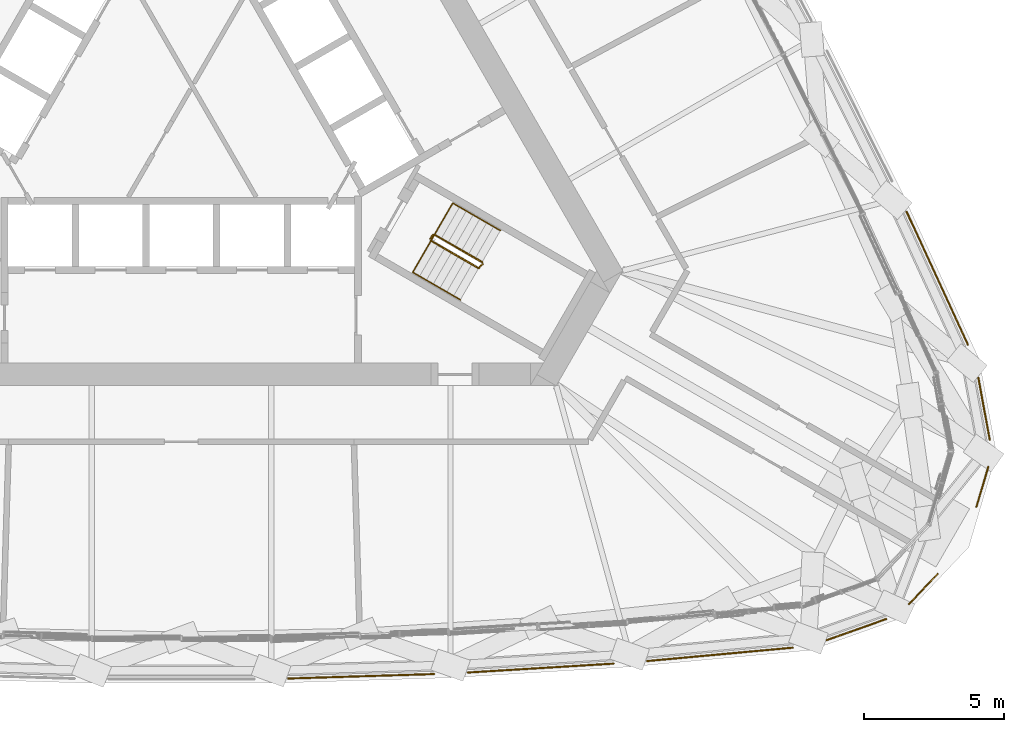
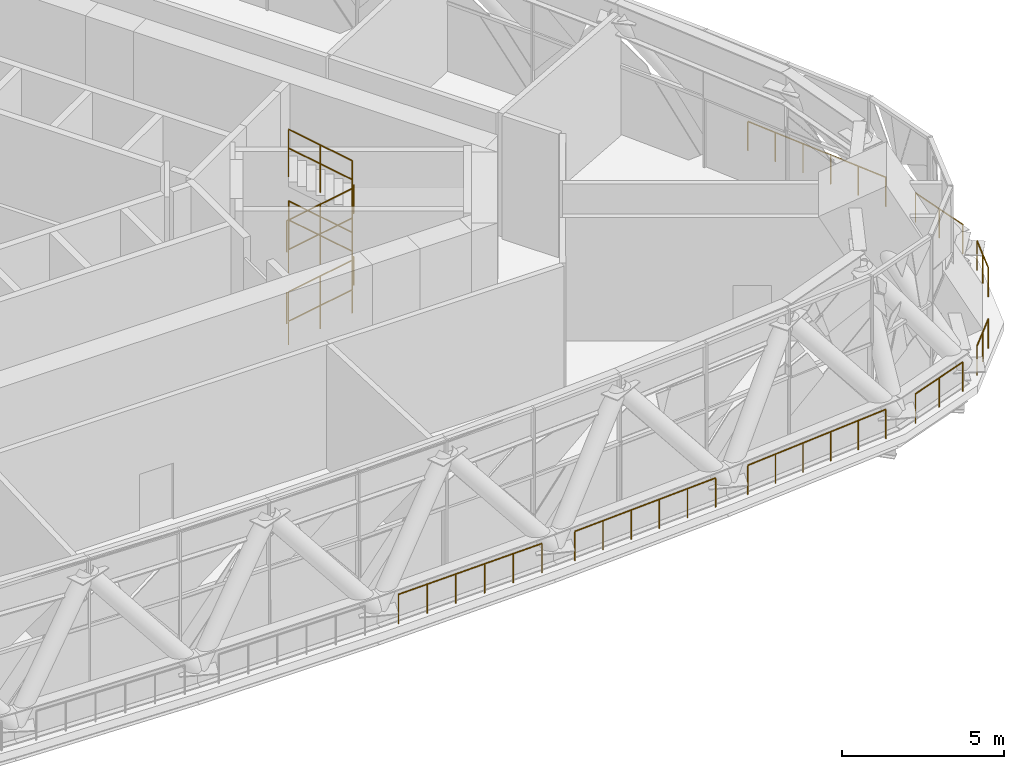
# One storey, part 34 of 35: 14 railings.
"""IFC4 building model written with IfcOpenShell, lengths in metres."""

from ifc_helpers import new_model, si_unit, direction, frame, origin, origin_2d, place, context, subcontext, project, spatial, circle, extrude, material, type_object, element, save


model = new_model("IFC4")

# Units and contexts
model_context = context("Model", 3, precision=1e-05, world=origin(), true_north=direction((0.0, 1.0)))
body_context = subcontext(model_context, "Body", "Model", "MODEL_VIEW")
ifc_project = project(units=[si_unit("LENGTHUNIT", "METRE"), si_unit("AREAUNIT", "SQUARE_METRE"), si_unit("VOLUMEUNIT", "CUBIC_METRE"), si_unit("PLANEANGLEUNIT", "RADIAN"), si_unit("MASSUNIT", "GRAM", prefix="KILO")], contexts=[model_context])

# Site, building, storey
site_placement = place(None, origin())
site = spatial("IfcSite", under=ifc_project, at=site_placement, CompositionType="ELEMENT")
building_placement = place(site_placement, origin())
building = spatial("IfcBuilding", under=site, at=building_placement, Name="Mestral Congress Tower", CompositionType="ELEMENT")
storey_placement = place(building_placement, frame((0.0, 0.0, 196.199951171875)))
storey = spatial("IfcBuildingStorey", under=building, at=storey_placement, Name="L46", CompositionType="ELEMENT", Elevation=196.199951171875)

# Railings
ifc_material_1 = material(Name="Stainless steel", Category="steel")
railing_type_1 = type_object("IfcRailingType", Name="Facade guard 1120 steel and glass", PredefinedType="GUARDRAIL", material=ifc_material_1)
railing_1_placement = place(storey_placement, frame((3.806884765625, -20.889892578125, 0.0)))
element("IfcRailing", 1, at=railing_1_placement, inside=storey, type_object=railing_type_1, Name="Band guard F0-04", PredefinedType="GUARDRAIL", context=body_context, shape_type="SweptSolid", body=[
    extrude(circle(Radius=0.02392578125, at=origin_2d()), frame((0.0, 0.0, 1.09619140625), z_axis=(0.99953339821, 0.030544817267, 0.0), x_axis=(-0.030544817267, 0.99953339821, 0.0)), (0.0, 0.0, 1.0), 5.203369140625),
    extrude(circle(Radius=0.02099609375, at=origin_2d()), origin(), (0.0, 0.0, 1.0), 1.072021484375),
    extrude(circle(Radius=0.02099609375, at=origin_2d()), frame((1.040283203125, 0.03173828125, 0.0)), (0.0, 0.0, 1.0), 1.072021484375),
    extrude(circle(Radius=0.02099609375, at=origin_2d()), frame((2.080322265625, 0.0634765625, 0.0)), (0.0, 0.0, 1.0), 1.072021484375),
    extrude(circle(Radius=0.02099609375, at=origin_2d()), frame((3.12060546875, 0.095458984375, 0.0)), (0.0, 0.0, 1.0), 1.072021484375),
    extrude(circle(Radius=0.02099609375, at=origin_2d()), frame((4.16064453125, 0.127197265625, 0.0)), (0.0, 0.0, 1.0), 1.072021484375),
    extrude(circle(Radius=0.02099609375, at=origin_2d()), frame((5.200927734375, 0.158935546875, 0.0)), (0.0, 0.0, 1.0), 1.072021484375),
])
railing_2_placement = place(storey_placement, frame((10.2119140625, -20.67578125, 0.0)))
element("IfcRailing", 2, at=railing_2_placement, inside=storey, type_object=railing_type_1, Name="Band guard F0-05", PredefinedType="GUARDRAIL", context=body_context, shape_type="SweptSolid", body=[
    extrude(circle(Radius=0.02392578125, at=origin_2d()), frame((0.0, 0.0, 1.09619140625), z_axis=(0.99813815212, 0.060993682324, 0.0), x_axis=(-0.060993682324, 0.99813815212, 0.0)), (0.0, 0.0, 1.0), 5.20361328125),
    extrude(circle(Radius=0.02099609375, at=origin_2d()), origin(), (0.0, 0.0, 1.0), 1.072021484375),
    extrude(circle(Radius=0.02099609375, at=origin_2d()), frame((1.038818359375, 0.0634765625, 0.0)), (0.0, 0.0, 1.0), 1.072021484375),
    extrude(circle(Radius=0.02099609375, at=origin_2d()), frame((2.07763671875, 0.126953125, 0.0)), (0.0, 0.0, 1.0), 1.072021484375),
    extrude(circle(Radius=0.02099609375, at=origin_2d()), frame((3.1162109375, 0.1904296875, 0.0)), (0.0, 0.0, 1.0), 1.072021484375),
    extrude(circle(Radius=0.02099609375, at=origin_2d()), frame((4.155029296875, 0.25390625, 0.0)), (0.0, 0.0, 1.0), 1.072021484375),
    extrude(circle(Radius=0.02099609375, at=origin_2d()), frame((5.19384765625, 0.3173828125, 0.0)), (0.0, 0.0, 1.0), 1.072021484375),
])
railing_3_placement = place(storey_placement, frame((16.607421875, -20.2666015625, 0.0)))
element("IfcRailing", 3, at=railing_3_placement, inside=storey, type_object=railing_type_1, Name="Band guard F0-06", PredefinedType="GUARDRAIL", context=body_context, shape_type="SweptSolid", body=[
    extrude(circle(Radius=0.02392578125, at=origin_2d()), frame((0.0, 0.0, 1.09619140625), z_axis=(0.995809103863, 0.091456157058, 0.0), x_axis=(-0.091456157058, 0.995809103863, 0.0)), (0.0, 0.0, 1.0), 5.21337890625),
    extrude(circle(Radius=0.02099609375, at=origin_2d()), origin(), (0.0, 0.0, 1.0), 1.072021484375),
    extrude(circle(Radius=0.02099609375, at=origin_2d()), frame((1.038330078125, 0.095458984375, 0.0)), (0.0, 0.0, 1.0), 1.072021484375),
    extrude(circle(Radius=0.02099609375, at=origin_2d()), frame((2.07666015625, 0.190673828125, 0.0)), (0.0, 0.0, 1.0), 1.072021484375),
    extrude(circle(Radius=0.02099609375, at=origin_2d()), frame((3.114990234375, 0.2861328125, 0.0)), (0.0, 0.0, 1.0), 1.072021484375),
    extrude(circle(Radius=0.02099609375, at=origin_2d()), frame((4.1533203125, 0.38134765625, 0.0)), (0.0, 0.0, 1.0), 1.072021484375),
    extrude(circle(Radius=0.02099609375, at=origin_2d()), frame((5.191650390625, 0.476806640625, 0.0)), (0.0, 0.0, 1.0), 1.072021484375),
])
railing_4_placement = place(storey_placement, frame((23.0078125, -19.524169921875, 0.0)))
element("IfcRailing", 4, at=railing_4_placement, inside=storey, type_object=railing_type_1, Name="Band guard K0-0", PredefinedType="GUARDRAIL", context=body_context, shape_type="SweptSolid", body=[
    extrude(circle(Radius=0.02392578125, at=origin_2d()), frame((0.0, 0.0, 1.09619140625), z_axis=(0.942121801978, 0.335270801349, 0.0), x_axis=(-0.335270801349, 0.942121801978, 0.0)), (0.0, 0.0, 1.0), 2.25),
    extrude(circle(Radius=0.02099609375, at=origin_2d()), origin(), (0.0, 0.0, 1.0), 1.072021484375),
    extrude(circle(Radius=0.02099609375, at=origin_2d()), frame((1.06005859375, 0.377197265625, 0.0)), (0.0, 0.0, 1.0), 1.072021484375),
    extrude(circle(Radius=0.02099609375, at=origin_2d()), frame((2.119873046875, 0.75439453125, 0.0)), (0.0, 0.0, 1.0), 1.072021484375),
])
railing_5_placement = place(storey_placement, frame((25.94140625, -18.239990234375, 0.0)))
element("IfcRailing", 5, at=railing_5_placement, inside=storey, type_object=railing_type_1, Name="Band guard K0-1", PredefinedType="GUARDRAIL", context=body_context, shape_type="SweptSolid", body=[
    extrude(circle(Radius=0.02392578125, at=origin_2d()), frame((0.0, 0.0, 1.09619140625), z_axis=(0.687986858937, 0.725723144133, 0.0), x_axis=(-0.725723144133, 0.687986858937, 0.0)), (0.0, 0.0, 1.0), 1.4814453125),
    extrude(circle(Radius=0.02099609375, at=origin_2d()), origin(), (0.0, 0.0, 1.0), 1.072021484375),
    extrude(circle(Radius=0.02099609375, at=origin_2d()), frame((0.509765625, 0.53759765625, 0.0)), (0.0, 0.0, 1.0), 1.072021484375),
    extrude(circle(Radius=0.02099609375, at=origin_2d()), frame((1.019287109375, 1.0751953125, 0.0)), (0.0, 0.0, 1.0), 1.072021484375),
])
railing_6_placement = place(storey_placement, frame((28.345458984375, -14.76611328125, 0.0)))
element("IfcRailing", 6, at=railing_6_placement, inside=storey, type_object=railing_type_1, Name="Band guard K0-2", PredefinedType="GUARDRAIL", context=body_context, shape_type="SweptSolid", body=[
    extrude(circle(Radius=0.02392578125, at=origin_2d()), frame((0.0, 0.0, 1.09619140625), z_axis=(0.284565163342, 0.958656699665, 0.0), x_axis=(-0.958656699665, 0.284565163342, 0.0)), (0.0, 0.0, 1.0), 1.481689453125),
    extrude(circle(Radius=0.02099609375, at=origin_2d()), origin(), (0.0, 0.0, 1.0), 1.072021484375),
    extrude(circle(Radius=0.02099609375, at=origin_2d()), frame((0.2109375, 0.710205078125, 0.0)), (0.0, 0.0, 1.0), 1.072021484375),
    extrude(circle(Radius=0.02099609375, at=origin_2d()), frame((0.421630859375, 1.42041015625, 0.0)), (0.0, 0.0, 1.0), 1.072021484375),
])
railing_7_placement = place(storey_placement, frame((28.81884765625, -12.37646484375, 0.0)))
element("IfcRailing", 7, at=railing_7_placement, inside=storey, type_object=railing_type_1, Name="Band guard K0-3", PredefinedType="GUARDRAIL", context=body_context, shape_type="SweptSolid", body=[
    extrude(circle(Radius=0.02392578125, at=origin_2d()), frame((0.0, 0.0, 1.09619140625), z_axis=(-0.180632244252, 0.983550706541, 0.0), x_axis=(-0.983550706541, -0.180632244252, 0.0)), (0.0, 0.0, 1.0), 2.25048828125),
    extrude(circle(Radius=0.02099609375, at=origin_2d()), origin(), (0.0, 0.0, 1.0), 1.072021484375),
    extrude(circle(Radius=0.02099609375, at=origin_2d()), frame((-0.203125, 1.106689453125, 0.0)), (0.0, 0.0, 1.0), 1.072021484375),
    extrude(circle(Radius=0.02099609375, at=origin_2d()), frame((-0.406494140625, 2.21337890625, 0.0)), (0.0, 0.0, 1.0), 1.072021484375),
])
railing_8_placement = place(storey_placement, frame((28.037841796875, -8.983642578125, 0.0)))
element("IfcRailing", 8, at=railing_8_placement, inside=storey, type_object=railing_type_1, Name="Band guard F1-00", PredefinedType="GUARDRAIL", context=body_context, shape_type="SweptSolid", body=[
    extrude(circle(Radius=0.02392578125, at=origin_2d()), frame((0.0, 0.0, 1.09619140625), z_axis=(-0.418704752472, 0.908122420303, 0.0), x_axis=(-0.908122420303, -0.418704752472, 0.0)), (0.0, 0.0, 1.0), 5.21337890625),
    extrude(circle(Radius=0.02099609375, at=origin_2d()), origin(), (0.0, 0.0, 1.0), 1.072021484375),
    extrude(circle(Radius=0.02099609375, at=origin_2d()), frame((-0.4365234375, 0.94677734375, 0.0)), (0.0, 0.0, 1.0), 1.072021484375),
    extrude(circle(Radius=0.02099609375, at=origin_2d()), frame((-0.873046875, 1.893798828125, 0.0)), (0.0, 0.0, 1.0), 1.072021484375),
    extrude(circle(Radius=0.02099609375, at=origin_2d()), frame((-1.309814453125, 2.840576171875, 0.0)), (0.0, 0.0, 1.0), 1.072021484375),
    extrude(circle(Radius=0.02099609375, at=origin_2d()), frame((-1.746337890625, 3.78759765625, 0.0)), (0.0, 0.0, 1.0), 1.072021484375),
    extrude(circle(Radius=0.02099609375, at=origin_2d()), frame((-2.182861328125, 4.734375, 0.0)), (0.0, 0.0, 1.0), 1.072021484375),
])
ifc_material_2 = material(Name="Steel balustrade", Category="steel")
railing_type_2 = type_object("IfcRailingType", Name="Stair guard 1100", PredefinedType="GUARDRAIL", material=ifc_material_2)
railing_9_placement = place(storey_placement, frame((8.90087890625, -5.283203125, 0.168701171875)))
element("IfcRailing", 9, at=railing_9_placement, inside=storey, type_object=railing_type_2, Name="L46 ST1 stair guard 1", PredefinedType="GUARDRAIL", context=body_context, shape_type="SweptSolid", body=[
    extrude(circle(Radius=0.02392578125, at=origin_2d()), frame((0.0, 0.0, 1.076171875), z_axis=(0.741730552229, -0.428204578836, 0.516213741153), x_axis=(0.499970440388, 0.866042469362, 0.0)), (0.0, 0.0, 1.0), 2.28857421875),
    extrude(circle(Radius=0.02392578125, at=origin_2d()), frame((1.697509765625, -0.97998046875, 2.25732421875), z_axis=(0.694552208452, 0.71944230466, 0.0), x_axis=(-0.71944230466, 0.694552208452, 0.0)), (0.0, 0.0, 1.0), 0.2060546875),
    extrude(circle(Radius=0.02099609375, at=origin_2d()), origin(), (0.0, 0.0, 1.0), 1.052001953125),
    extrude(circle(Radius=0.02099609375, at=origin_2d()), frame((0.8486328125, -0.489990234375, 0.5908203125)), (0.0, 0.0, 1.0), 1.052001953125),
    extrude(circle(Radius=0.02099609375, at=origin_2d()), frame((1.697509765625, -0.97998046875, 1.181396484375)), (0.0, 0.0, 1.0), 1.052001953125),
    extrude(circle(Radius=0.02099609375, at=origin_2d()), frame((1.840576171875, -0.831787109375, 1.181396484375)), (0.0, 0.0, 1.0), 1.052001953125),
])
railing_10_placement = place(storey_placement, frame((10.723388671875, -6.046630859375, 1.518798828125)))
element("IfcRailing", 10, at=railing_10_placement, inside=storey, type_object=railing_type_2, Name="L46 ST1 stair guard 2", PredefinedType="GUARDRAIL", context=body_context, shape_type="SweptSolid", body=[
    extrude(circle(Radius=0.02392578125, at=origin_2d()), frame((0.0, 0.0, 1.076171875), z_axis=(-0.741771397394, 0.428228158944, 0.516135484049), x_axis=(-0.499970440388, -0.866042469362, 0.0)), (0.0, 0.0, 1.0), 2.28857421875),
    extrude(circle(Radius=0.02392578125, at=origin_2d()), frame((-1.697509765625, 0.97998046875, 2.25732421875), z_axis=(-0.965948051503, -0.258736085224, 0.0), x_axis=(0.258736085224, -0.965948051503, 0.0)), (0.0, 0.0, 1.0), 0.07080078125),
    extrude(circle(Radius=0.02392578125, at=origin_2d()), frame((-1.765869140625, 0.961669921875, 2.25732421875), z_axis=(-0.499816412211, -0.866131372301, 0.0), x_axis=(0.866131372301, -0.499816412211, 0.0)), (0.0, 0.0, 1.0), 0.14990234375),
    extrude(circle(Radius=0.02099609375, at=origin_2d()), origin(), (0.0, 0.0, 1.0), 1.052001953125),
    extrude(circle(Radius=0.02099609375, at=origin_2d()), frame((-0.8486328125, 0.489990234375, 0.590576171875)), (0.0, 0.0, 1.0), 1.052001953125),
    extrude(circle(Radius=0.02099609375, at=origin_2d()), frame((-1.697509765625, 0.97998046875, 1.18115234375)), (0.0, 0.0, 1.0), 1.052001953125),
    extrude(circle(Radius=0.02099609375, at=origin_2d()), frame((-1.765869140625, 0.961669921875, 1.18115234375)), (0.0, 0.0, 1.0), 1.052001953125),
    extrude(circle(Radius=0.02099609375, at=origin_2d()), frame((-1.8408203125, 0.831787109375, 1.18115234375)), (0.0, 0.0, 1.0), 1.052001953125),
])
railing_11_placement = place(storey_placement, frame((8.90087890625, -5.283203125, 2.868896484375)))
element("IfcRailing", 11, at=railing_11_placement, inside=storey, type_object=railing_type_2, Name="L46 ST1 stair guard 3", PredefinedType="GUARDRAIL", context=body_context, shape_type="SweptSolid", body=[
    extrude(circle(Radius=0.02392578125, at=origin_2d()), frame((0.0, 0.0, 1.076171875), z_axis=(0.741771397394, -0.428228158944, 0.516135484049), x_axis=(0.499970440388, 0.866042469362, 0.0)), (0.0, 0.0, 1.0), 2.28857421875),
    extrude(circle(Radius=0.02392578125, at=origin_2d()), frame((1.697509765625, -0.97998046875, 2.25732421875), z_axis=(0.694552208452, 0.71944230466, 0.0), x_axis=(-0.71944230466, 0.694552208452, 0.0)), (0.0, 0.0, 1.0), 0.2060546875),
    extrude(circle(Radius=0.02099609375, at=origin_2d()), origin(), (0.0, 0.0, 1.0), 1.052001953125),
    extrude(circle(Radius=0.02099609375, at=origin_2d()), frame((0.8486328125, -0.489990234375, 0.590576171875)), (0.0, 0.0, 1.0), 1.052001953125),
    extrude(circle(Radius=0.02099609375, at=origin_2d()), frame((1.697509765625, -0.97998046875, 1.18115234375)), (0.0, 0.0, 1.0), 1.052001953125),
    extrude(circle(Radius=0.02099609375, at=origin_2d()), frame((1.840576171875, -0.831787109375, 1.18115234375)), (0.0, 0.0, 1.0), 1.052001953125),
])
railing_12_placement = place(storey_placement, frame((10.723388671875, -6.046630859375, 4.21875)))
element("IfcRailing", 12, at=railing_12_placement, inside=storey, type_object=railing_type_2, Name="L46 ST1 stair guard 4", PredefinedType="GUARDRAIL", context=body_context, shape_type="SweptSolid", body=[
    extrude(circle(Radius=0.02392578125, at=origin_2d()), frame((0.0, 0.0, 1.076171875), z_axis=(-0.741730552229, 0.428204578836, 0.516213741153), x_axis=(-0.499970440388, -0.866042469362, 0.0)), (0.0, 0.0, 1.0), 2.28857421875),
    extrude(circle(Radius=0.02099609375, at=origin_2d()), origin(), (0.0, 0.0, 1.0), 1.052001953125),
    extrude(circle(Radius=0.02099609375, at=origin_2d()), frame((-0.8486328125, 0.489990234375, 0.5908203125)), (0.0, 0.0, 1.0), 1.052001953125),
    extrude(circle(Radius=0.02099609375, at=origin_2d()), frame((-1.697509765625, 0.97998046875, 1.181396484375)), (0.0, 0.0, 1.0), 1.052001953125),
])
railing_13_placement = place(storey_placement, frame((8.882568359375, -5.21484375, 0.0)))
element("IfcRailing", 13, at=railing_13_placement, inside=storey, type_object=railing_type_2, Name="L46 ST1 stair guard 5", PredefinedType="GUARDRAIL", context=body_context, shape_type="SweptSolid", body=[
    extrude(circle(Radius=0.02392578125, at=origin_2d()), frame((0.0, 0.0, 1.076171875), z_axis=(0.499816412211, 0.866131372301, 0.0), x_axis=(-0.866131372301, 0.499816412211, 0.0)), (0.0, 0.0, 1.0), 0.14990234375),
    extrude(circle(Radius=0.02099609375, at=origin_2d()), origin(), (0.0, 0.0, 1.0), 1.052001953125),
    extrude(circle(Radius=0.02099609375, at=origin_2d()), frame((0.074951171875, 0.1298828125, 0.0)), (0.0, 0.0, 1.0), 1.052001953125),
])
ifc_material_3 = material(Name="Steel handrail", Category="steel")
railing_type_3 = type_object("IfcRailingType", Name="Stair handrail 900", PredefinedType="HANDRAIL", material=ifc_material_3)
railing_14_placement = place(storey_placement, frame((8.2509765625, -6.4091796875, 0.168701171875)))
element("IfcRailing", 14, at=railing_14_placement, inside=storey, type_object=railing_type_3, Name="L46 ST1 stair handrail 1", PredefinedType="HANDRAIL", context=body_context, shape_type="SweptSolid", body=[
    extrude(circle(Radius=0.02392578125, at=origin_2d()), frame((0.0, 0.0, 0.8759765625), z_axis=(0.741682559053, -0.428238462606, 0.516254589076), x_axis=(0.500024377727, 0.866011328839, 0.0)), (0.0, 0.0, 1.0), 2.288330078125),
    extrude(circle(Radius=0.02392578125, at=origin_2d()), frame((1.697265625, -0.97998046875, 2.05712890625), z_axis=(0.0, 0.0, 1.0), x_axis=(1.0, 0.0, 0.0)), (0.0, 0.0, 1.0), 2.699951171875),
    extrude(circle(Radius=0.02392578125, at=origin_2d()), frame((1.697265625, -0.97998046875, 4.75732421875), z_axis=(-0.74172340804, 0.428262048313, -0.516176330279), x_axis=(-0.500024377727, -0.866011328839, 0.0)), (0.0, 0.0, 1.0), 2.288330078125),
    extrude(circle(Radius=0.02392578125, at=origin_2d()), frame((0.0, 0.0, 3.576171875), z_axis=(0.499058937937, 0.86454521291, -0.059175597165), x_axis=(-0.866062911188, 0.499935029643, 0.0)), (0.0, 0.0, 1.0), 2.85498046875),
    extrude(circle(Radius=0.02392578125, at=origin_2d()), frame((1.4248046875, 2.46826171875, 3.4072265625), z_axis=(0.741771397394, -0.428228158944, -0.516135484049), x_axis=(0.499970440388, 0.866042469362, 0.0)), (0.0, 0.0, 1.0), 2.28857421875),
    extrude(circle(Radius=0.02392578125, at=origin_2d()), frame((3.122314453125, 1.48828125, 2.22607421875), z_axis=(0.0, 0.0, 1.0), x_axis=(1.0, 0.0, 0.0)), (0.0, 0.0, 1.0), 2.699951171875),
    extrude(circle(Radius=0.02392578125, at=origin_2d()), frame((3.122314453125, 1.48828125, 4.92578125), z_axis=(-0.741730552229, 0.428204578836, 0.516213741153), x_axis=(-0.499970440388, -0.866042469362, 0.0)), (0.0, 0.0, 1.0), 2.28857421875),
    extrude(circle(Radius=0.02099609375, at=origin_2d()), origin(), (0.0, 0.0, 1.0), 0.851806640625),
    extrude(circle(Radius=0.02099609375, at=origin_2d()), frame((0.8486328125, -0.489990234375, 0.5908203125)), (0.0, 0.0, 1.0), 0.851806640625),
    extrude(circle(Radius=0.02099609375, at=origin_2d()), frame((1.697265625, -0.97998046875, 1.181396484375)), (0.0, 0.0, 1.0), 0.851806640625),
    extrude(circle(Radius=0.02099609375, at=origin_2d()), frame((1.697265625, -0.97998046875, 2.081298828125)), (0.0, 0.0, 1.0), 0.851806640625),
    extrude(circle(Radius=0.02099609375, at=origin_2d()), frame((1.697265625, -0.97998046875, 2.9814453125)), (0.0, 0.0, 1.0), 0.851806640625),
    extrude(circle(Radius=0.02099609375, at=origin_2d()), frame((1.697265625, -0.97998046875, 3.88134765625)), (0.0, 0.0, 1.0), 0.851806640625),
    extrude(circle(Radius=0.02099609375, at=origin_2d()), frame((0.8486328125, -0.489990234375, 3.290771484375)), (0.0, 0.0, 1.0), 0.851806640625),
    extrude(circle(Radius=0.02099609375, at=origin_2d()), frame((0.0, 0.0, 2.7001953125)), (0.0, 0.0, 1.0), 0.851806640625),
    extrude(circle(Radius=0.02099609375, at=origin_2d()), frame((0.474853515625, 0.82275390625, 2.643798828125)), (0.0, 0.0, 1.0), 0.851806640625),
    extrude(circle(Radius=0.02099609375, at=origin_2d()), frame((0.949951171875, 1.6455078125, 2.587646484375)), (0.0, 0.0, 1.0), 0.851806640625),
    extrude(circle(Radius=0.02099609375, at=origin_2d()), frame((1.4248046875, 2.46826171875, 2.53125)), (0.0, 0.0, 1.0), 0.851806640625),
    extrude(circle(Radius=0.02099609375, at=origin_2d()), frame((2.2734375, 1.978271484375, 1.940673828125)), (0.0, 0.0, 1.0), 0.851806640625),
    extrude(circle(Radius=0.02099609375, at=origin_2d()), frame((3.122314453125, 1.48828125, 1.35009765625)), (0.0, 0.0, 1.0), 0.851806640625),
    extrude(circle(Radius=0.02099609375, at=origin_2d()), frame((3.122314453125, 1.48828125, 2.25)), (0.0, 0.0, 1.0), 0.851806640625),
    extrude(circle(Radius=0.02099609375, at=origin_2d()), frame((3.122314453125, 1.48828125, 3.150146484375)), (0.0, 0.0, 1.0), 0.851806640625),
    extrude(circle(Radius=0.02099609375, at=origin_2d()), frame((3.122314453125, 1.48828125, 4.050048828125)), (0.0, 0.0, 1.0), 0.851806640625),
    extrude(circle(Radius=0.02099609375, at=origin_2d()), frame((2.2734375, 1.978271484375, 4.640625)), (0.0, 0.0, 1.0), 0.851806640625),
    extrude(circle(Radius=0.02099609375, at=origin_2d()), frame((1.4248046875, 2.46826171875, 5.2314453125)), (0.0, 0.0, 1.0), 0.851806640625),
])

save(model, "model.ifc")
